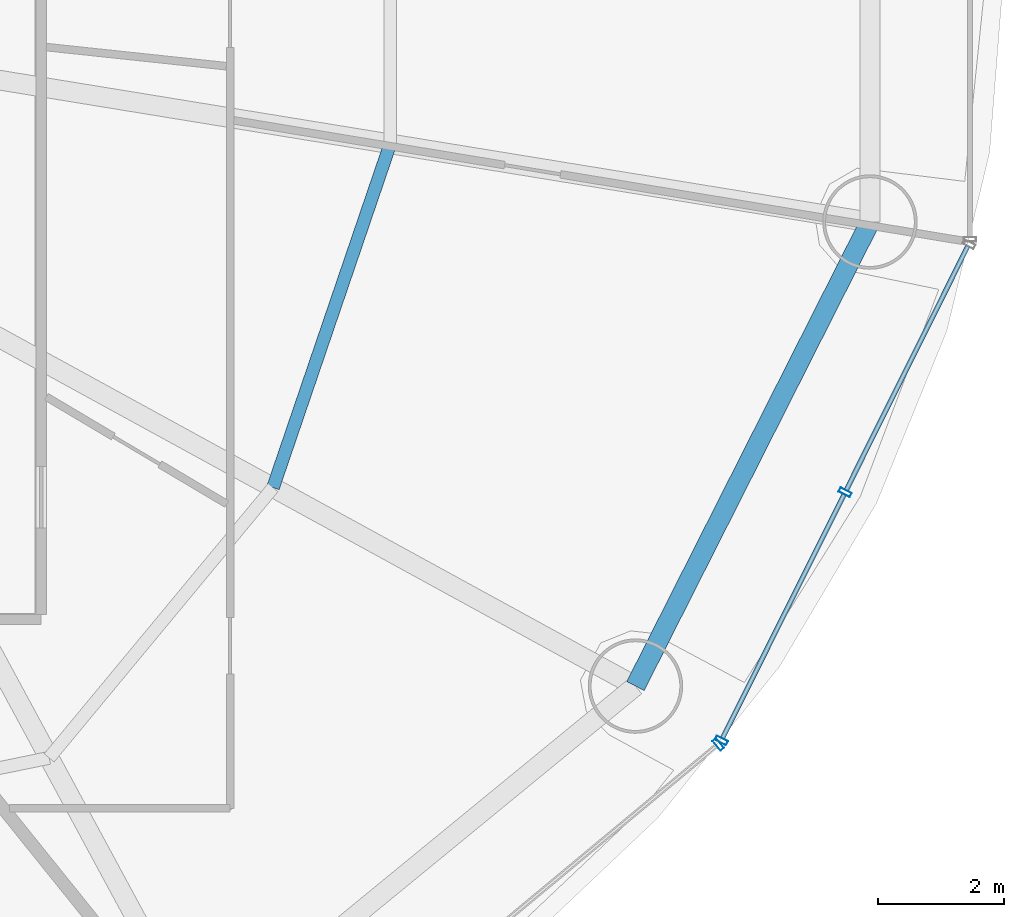
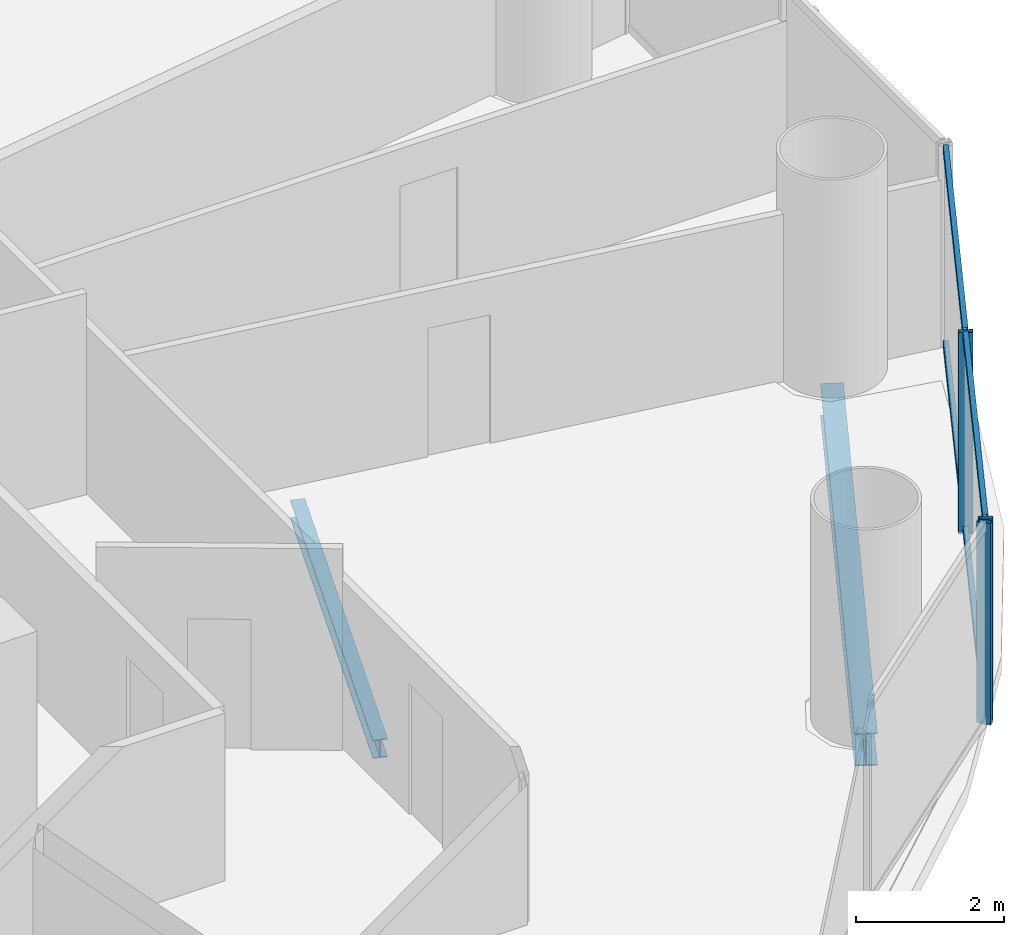
# One storey, part 13 of 29: 7 members, 2 beams, 2 elements without a shape of their own.
"""IFC4 building model written with IfcOpenShell, lengths in metres."""

from ifc_helpers import new_model, si_unit, direction, frame, origin, origin_2d, place, context, subcontext, project, spatial, hollow_rectangle, i_section, extrude, source, transform, mapped, material, material_profile, profile_set, type_object, element, aggregate, save


model = new_model("IFC4")

# Units and contexts
model_context = context("Model", 3, precision=1e-05, world=origin(), true_north=direction((-0.2419218956, 0.970295726276)))
body_context = subcontext(model_context, "Body", "Model", "MODEL_VIEW")
ifc_project = project(units=[si_unit("LENGTHUNIT", "METRE"), si_unit("AREAUNIT", "SQUARE_METRE"), si_unit("VOLUMEUNIT", "CUBIC_METRE"), si_unit("PLANEANGLEUNIT", "RADIAN"), si_unit("MASSUNIT", "GRAM", prefix="KILO")], contexts=[model_context])

# Site, building, storey
site_placement = place(None, origin())
site = spatial("IfcSite", under=ifc_project, at=site_placement, CompositionType="ELEMENT")
building_placement = place(site_placement, origin())
building = spatial("IfcBuilding", under=site, at=building_placement, Name="Cobrevalo Terracotta Tower", CompositionType="ELEMENT")
storey_placement = place(building_placement, frame((0.0, 0.0, 123.0)))
storey = spatial("IfcBuildingStorey", under=building, at=storey_placement, Name="L32", CompositionType="ELEMENT", Elevation=123.0)

# Beams
ifc_material_1 = material(Name="Steel S355", Category="steel")
ifc_material_profile_1 = material_profile(ifc_material_1, i_section(OverallWidth=0.2041015625, OverallDepth=0.305908203125, WebThickness=0.008544921875, FlangeThickness=0.0146484375, at=origin_2d()), Name="W 310x67")
ifc_profile_set_1 = profile_set([ifc_material_profile_1], Name="Steel S355")
beam_type_1 = type_object("IfcBeamType", Name="Structural Joist W 310x67 (Steel S355)", PredefinedType="JOIST", material=ifc_profile_set_1)
beam_1_placement = place(storey_placement, frame((52.987548828125, 18.591796875, -0.427978515625), z_axis=(0.322846227919, 0.946451431991, 0.0), x_axis=(-0.946451431991, 0.322846227919, 0.0)))
element("IfcBeam", 1, at=beam_1_placement, inside=storey, type_object=beam_type_1, Name="L32 circumferential secondary floor joist 15", PredefinedType="JOIST", context=body_context, shape_type="SweptSolid", body=[
    extrude(i_section(OverallWidth=0.2041015625, OverallDepth=0.305908203125, WebThickness=0.008544921875, FlangeThickness=0.0146484375, at=origin_2d()), origin(), (0.0, 0.0, 1.0), 5.77001953125),
])
ifc_material_profile_2 = material_profile(ifc_material_1, i_section(OverallWidth=0.31201171875, OverallDepth=0.54296875, WebThickness=0.0126953125, FlangeThickness=0.020263671875, at=origin_2d()), Name="W 530x150")
ifc_profile_set_2 = profile_set([ifc_material_profile_2], Name="Steel S355")
beam_type_2 = type_object("IfcBeamType", Name="Structural Spandrel W 530x150 (Steel S355)", PredefinedType="SPANDREL", material=ifc_profile_set_2)
beam_2_placement = place(storey_placement, frame((58.7451171875, 15.4384765625, -0.54638671875), z_axis=(0.451051982172, 0.892497680321, 0.0), x_axis=(-0.892497680321, 0.451051982172, 0.0)))
element("IfcBeam", 2, at=beam_2_placement, inside=storey, type_object=beam_type_2, Name="L32 perimeter ring spandrel 15", PredefinedType="SPANDREL", context=body_context, shape_type="SweptSolid", body=[
    extrude(i_section(OverallWidth=0.31201171875, OverallDepth=0.54296875, WebThickness=0.0126953125, FlangeThickness=0.020263671875, at=origin_2d()), origin(), (0.0, 0.0, 1.0), 8.259765625),
])

# Curtain wall, member
ifc_material_2 = material(Name="Anodized aluminium", Category="aluminium")
curtain_wall_type = type_object("IfcCurtainWallType", Name="Lower-tower unitised acoustic low-E curtain wall CW-U1", PredefinedType="NOTDEFINED", material=ifc_material_2)
curtain_wall_1_placement = place(storey_placement, origin())
curtain_wall_1 = element("IfcCurtainWall", 3, at=curtain_wall_1_placement, inside=storey, type_object=curtain_wall_type, Name="L32 curtain wall CW-L32-S14", PredefinedType="NOTDEFINED")
ifc_material_profile_3 = material_profile(ifc_material_2, hollow_rectangle(XDim=0.074951171875, YDim=0.199951171875, WallThickness=0.0048828125, at=origin_2d()), Name="CWM 75x200")
ifc_profile_set_3 = profile_set([ifc_material_profile_3], Name="Anodized aluminium")
member_type_1 = type_object("IfcMemberType", Name="Lower/mid tower unitised mullion 75x200", PredefinedType="MULLION", material=ifc_profile_set_3)
shared_shape_1 = source(origin(), body_context, "Body", "SweptSolid", [
    extrude(hollow_rectangle(XDim=0.074951171875, YDim=0.199951171875, WallThickness=0.0048828125, at=origin_2d()), origin(), (0.0, 0.0, 1.0), 3.324951171875),
])
member_1_placement = place(storey_placement, frame((60.061279296875, 14.512939453125, 0.0), z_axis=(0.0, 0.0, 1.0), x_axis=(0.769243451658, 0.638955798222, 0.0)))
member_1 = element("IfcMember", 4, at=member_1_placement, type_object=member_type_1, Name="CW-L32-S14 vertical mullion 03", PredefinedType="MULLION", context=body_context, shape_type="MappedRepresentation", body=[
    mapped(shared_shape_1, transform((0.0, 0.0, 0.0), scale=1.0)),
])
aggregate(curtain_wall_1, [member_1])

# Curtain wall, members
curtain_wall_2_placement = place(storey_placement, origin())
curtain_wall_2 = element("IfcCurtainWall", 5, at=curtain_wall_2_placement, inside=storey, type_object=curtain_wall_type, Name="L32 curtain wall CW-L32-S15", PredefinedType="NOTDEFINED")
member_2_placement = place(storey_placement, frame((60.110107421875, 14.574462890625, 0.0), z_axis=(0.0, 0.0, 1.0), x_axis=(0.446260290227, 0.894903208937, 0.0)))
member_2 = element("IfcMember", 6, at=member_2_placement, type_object=member_type_1, Name="CW-L32-S15 vertical mullion 01", PredefinedType="MULLION", context=body_context, shape_type="MappedRepresentation", body=[
    mapped(shared_shape_1, transform((0.0, 0.0, 0.0), scale=1.0)),
])
member_3_placement = place(storey_placement, frame((62.075927734375, 18.516357421875, 0.0), z_axis=(0.0, 0.0, 1.0), x_axis=(0.446260290227, 0.894903208937, 0.0)))
member_3 = element("IfcMember", 7, at=member_3_placement, type_object=member_type_1, Name="CW-L32-S15 vertical mullion 02", PredefinedType="MULLION", context=body_context, shape_type="MappedRepresentation", body=[
    mapped(shared_shape_1, transform((0.0, 0.0, 0.0), scale=1.0)),
])
ifc_material_profile_4 = material_profile(ifc_material_2, hollow_rectangle(XDim=0.074951171875, YDim=0.14990234375, WallThickness=0.00439453125, at=origin_2d()), Name="CWT 75x150")
ifc_profile_set_4 = profile_set([ifc_material_profile_4], Name="Anodized aluminium")
member_type_2 = type_object("IfcMemberType", Name="Tower unitised aluminium transom 75x150", PredefinedType="USERDEFINED", material=ifc_profile_set_4)
shared_shape_2 = source(origin(), body_context, "Body", "SweptSolid", [
    extrude(hollow_rectangle(XDim=0.074951171875, YDim=0.14990234375, WallThickness=0.00439453125, at=origin_2d()), origin(), (0.0, 0.0, 1.0), 4.324951171875),
])
member_4_placement = place(storey_placement, frame((60.1279296875, 14.610107421875, 0.050048828125), z_axis=(0.446219838389, 0.894923379864, 0.0), x_axis=(-0.894923379864, 0.446219838389, 0.0)))
member_4 = element("IfcMember", 8, at=member_4_placement, type_object=member_type_2, Name="CW-L32-S15 transom B01-T1", ObjectType="TRANSOM", PredefinedType="USERDEFINED", context=body_context, shape_type="MappedRepresentation", body=[
    mapped(shared_shape_2, transform((0.0, 0.0, 0.0), scale=1.0)),
])
member_5_placement = place(storey_placement, frame((60.1279296875, 14.610107421875, 3.27490234375), z_axis=(0.446219838389, 0.894923379864, 0.0), x_axis=(-0.894923379864, 0.446219838389, 0.0)))
member_5 = element("IfcMember", 9, at=member_5_placement, type_object=member_type_2, Name="CW-L32-S15 transom B01-T2", ObjectType="TRANSOM", PredefinedType="USERDEFINED", context=body_context, shape_type="MappedRepresentation", body=[
    mapped(shared_shape_2, transform((0.0, 0.0, 0.0), scale=1.0)),
])
member_6_placement = place(storey_placement, frame((62.09375, 18.55224609375, 0.050048828125), z_axis=(0.446219838389, 0.894923379864, 0.0), x_axis=(-0.894923379864, 0.446219838389, 0.0)))
member_6 = element("IfcMember", 10, at=member_6_placement, type_object=member_type_2, Name="CW-L32-S15 transom B02-T1", ObjectType="TRANSOM", PredefinedType="USERDEFINED", context=body_context, shape_type="MappedRepresentation", body=[
    mapped(shared_shape_2, transform((0.0, 0.0, 0.0), scale=1.0)),
])
member_7_placement = place(storey_placement, frame((62.09375, 18.55224609375, 3.27490234375), z_axis=(0.446219838389, 0.894923379864, 0.0), x_axis=(-0.894923379864, 0.446219838389, 0.0)))
member_7 = element("IfcMember", 11, at=member_7_placement, type_object=member_type_2, Name="CW-L32-S15 transom B02-T2", ObjectType="TRANSOM", PredefinedType="USERDEFINED", context=body_context, shape_type="MappedRepresentation", body=[
    mapped(shared_shape_2, transform((0.0, 0.0, 0.0), scale=1.0)),
])
aggregate(curtain_wall_2, [member_2, member_3, member_4, member_5, member_6, member_7])

save(model, "model.ifc")
